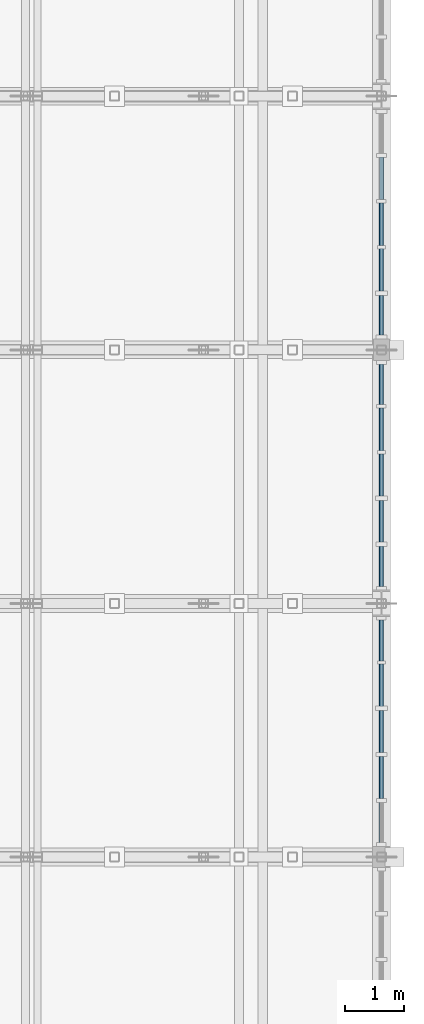
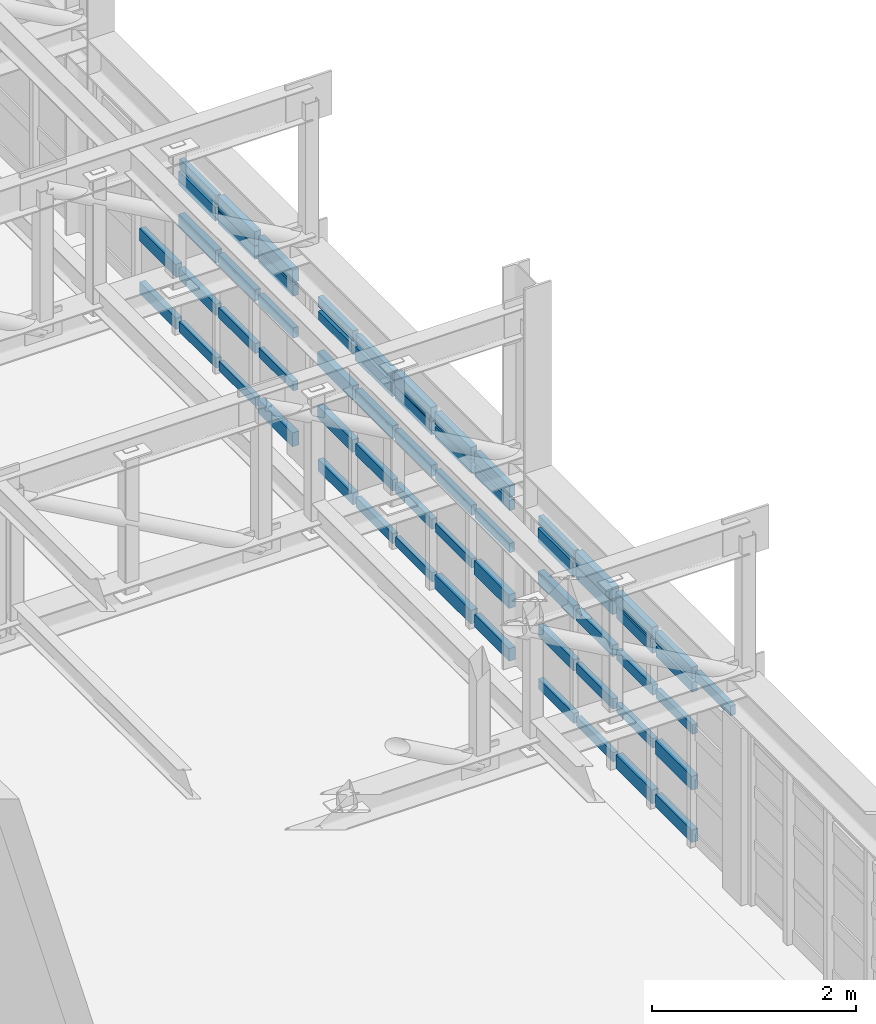
# One storey, part 79 of 128: 63 members, 3 elements without a shape of their own.
"""IFC4 building model written with IfcOpenShell, lengths in metres."""

from ifc_helpers import new_model, si_unit, direction, frame, origin, origin_2d, place, context, subcontext, project, spatial, rectangle, extrude, material, material_profile, profile_set, type_object, element, aggregate, save


model = new_model("IFC4")

# Units and contexts
model_context = context("Model", 3, precision=1e-05, world=origin(), true_north=direction((0.0, 1.0)))
body_context = subcontext(model_context, "Body", "Model", "MODEL_VIEW")
ifc_project = project(units=[si_unit("LENGTHUNIT", "METRE"), si_unit("AREAUNIT", "SQUARE_METRE"), si_unit("VOLUMEUNIT", "CUBIC_METRE"), si_unit("PLANEANGLEUNIT", "RADIAN"), si_unit("MASSUNIT", "GRAM", prefix="KILO")], contexts=[model_context])

# Site, building, storey
site_placement = place(None, origin())
site = spatial("IfcSite", under=ifc_project, at=site_placement, CompositionType="ELEMENT")
building_placement = place(site_placement, origin())
building = spatial("IfcBuilding", under=site, at=building_placement, Name="Serraforn Aerial Cableway Station", CompositionType="ELEMENT")
storey_placement = place(building_placement, frame((0.0, 0.0, 9.0)))
storey = spatial("IfcBuildingStorey", under=building, at=storey_placement, Name="L02", CompositionType="ELEMENT", Elevation=9.0)

# Curtain wall, members
ifc_material_1 = material(Name="Anodised bronze unitised curtain wall")
curtain_wall_type_1 = type_object("IfcCurtainWallType", Name="CW-SYS-28", PredefinedType="USERDEFINED", material=ifc_material_1)
curtain_wall_1_placement = place(storey_placement, origin())
curtain_wall_1 = element("IfcCurtainWall", 1, at=curtain_wall_1_placement, inside=storey, type_object=curtain_wall_type_1, Name="Unitised Curtain Wall CW-EG-L02-E3B", ObjectType="UNITISED CURTAIN WALL", PredefinedType="USERDEFINED")
ifc_material_2 = material(Name="Anodised bronze extruded aluminium", Category="aluminium")
ifc_material_profile_1 = material_profile(ifc_material_2, rectangle(XDim=0.054931640625, YDim=0.110107421875, at=origin_2d()), Name="CW TRANSOM 55x110")
ifc_profile_set_1 = profile_set([ifc_material_profile_1], Name="Anodised bronze extruded aluminium")
member_type_1 = type_object("IfcMemberType", Name="CW-TRN-1", PredefinedType="USERDEFINED", material=ifc_profile_set_1)
member_1_placement = place(storey_placement, frame((168.0, 67.9599609375, 1.356689453125), z_axis=(0.0, 1.0, 0.0), x_axis=(-1.0, 0.0, 0.0)))
member_1 = element("IfcMember", 2, at=member_1_placement, type_object=member_type_1, Name="Curtain Wall Transom CW-EG-L02-E3B-T2-3", ObjectType="TRANSOM", PredefinedType="USERDEFINED", context=body_context, shape_type="SweptSolid", body=[
    extrude(rectangle(XDim=0.054931640625, YDim=0.110107421875, at=origin_2d()), origin(), (0.0, 0.0, 1.0), 0.7109375),
])
member_2_placement = place(storey_placement, frame((168.0, 68.73681640625, 0.720703125), z_axis=(0.0, 1.0, 0.0), x_axis=(-1.0, 0.0, 0.0)))
member_2 = element("IfcMember", 3, at=member_2_placement, type_object=member_type_1, Name="Curtain Wall Transom CW-EG-L02-E3B-T3-2", ObjectType="TRANSOM", PredefinedType="USERDEFINED", context=body_context, shape_type="SweptSolid", body=[
    extrude(rectangle(XDim=0.054931640625, YDim=0.110107421875, at=origin_2d()), origin(), (0.0, 0.0, 1.0), 0.705810546875),
])
member_3_placement = place(storey_placement, frame((168.0, 69.513671875, 0.084716796875), z_axis=(0.0, 1.0, 0.0), x_axis=(-1.0, 0.0, 0.0)))
member_3 = element("IfcMember", 4, at=member_3_placement, type_object=member_type_1, Name="Curtain Wall Transom CW-EG-L02-E3B-T4-1", ObjectType="TRANSOM", PredefinedType="USERDEFINED", context=body_context, shape_type="SweptSolid", body=[
    extrude(rectangle(XDim=0.054931640625, YDim=0.110107421875, at=origin_2d()), origin(), (0.0, 0.0, 1.0), 0.71337890625),
])
member_4_placement = place(storey_placement, frame((168.0, 70.278076171875, 2.03515625), z_axis=(0.0, 1.0, 0.0), x_axis=(-1.0, 0.0, 0.0)))
member_4 = element("IfcMember", 5, at=member_4_placement, type_object=member_type_1, Name="Curtain Wall Transom CW-EG-L02-E3B-T5-5", ObjectType="TRANSOM", PredefinedType="USERDEFINED", context=body_context, shape_type="SweptSolid", body=[
    extrude(rectangle(XDim=0.054931640625, YDim=0.110107421875, at=origin_2d()), origin(), (0.0, 0.0, 1.0), 0.69091796875),
])

curtain_wall_type_2 = type_object("IfcCurtainWallType", Name="CW-SYS-1", PredefinedType="USERDEFINED", material=ifc_material_1)
curtain_wall_2_placement = place(storey_placement, origin())
curtain_wall_2 = element("IfcCurtainWall", 6, at=curtain_wall_2_placement, inside=storey, type_object=curtain_wall_type_2, Name="Unitised Curtain Wall CW-EG-L02-E4A", ObjectType="UNITISED CURTAIN WALL", PredefinedType="USERDEFINED")
member_5_placement = place(storey_placement, frame((168.0, 71.535888671875, 1.356689453125), z_axis=(0.0, 1.0, 0.0), x_axis=(-1.0, 0.0, 0.0)))
member_5 = element("IfcMember", 7, at=member_5_placement, type_object=member_type_1, Name="Curtain Wall Transom CW-EG-L02-E4A-T1-3", ObjectType="TRANSOM", PredefinedType="USERDEFINED", context=body_context, shape_type="SweptSolid", body=[
    extrude(rectangle(XDim=0.054931640625, YDim=0.110107421875, at=origin_2d()), origin(), (0.0, 0.0, 1.0), 0.678466796875),
])
member_6_placement = place(storey_placement, frame((168.0, 72.280517578125, 0.720703125), z_axis=(0.0, 1.0, 0.0), x_axis=(-1.0, 0.0, 0.0)))
member_6 = element("IfcMember", 8, at=member_6_placement, type_object=member_type_1, Name="Curtain Wall Transom CW-EG-L02-E4A-T2-2", ObjectType="TRANSOM", PredefinedType="USERDEFINED", context=body_context, shape_type="SweptSolid", body=[
    extrude(rectangle(XDim=0.054931640625, YDim=0.110107421875, at=origin_2d()), origin(), (0.0, 0.0, 1.0), 0.705810546875),
])
member_7_placement = place(storey_placement, frame((168.0, 73.057373046875, 0.084716796875), z_axis=(0.0, 1.0, 0.0), x_axis=(-1.0, 0.0, 0.0)))
member_7 = element("IfcMember", 9, at=member_7_placement, type_object=member_type_1, Name="Curtain Wall Transom CW-EG-L02-E4A-T3-1", ObjectType="TRANSOM", PredefinedType="USERDEFINED", context=body_context, shape_type="SweptSolid", body=[
    extrude(rectangle(XDim=0.054931640625, YDim=0.110107421875, at=origin_2d()), origin(), (0.0, 0.0, 1.0), 0.71337890625),
])
member_8_placement = place(storey_placement, frame((168.0, 73.82177734375, 2.03515625), z_axis=(0.0, 1.0, 0.0), x_axis=(-1.0, 0.0, 0.0)))
member_8 = element("IfcMember", 10, at=member_8_placement, type_object=member_type_1, Name="Curtain Wall Transom CW-EG-L02-E4A-T4-5", ObjectType="TRANSOM", PredefinedType="USERDEFINED", context=body_context, shape_type="SweptSolid", body=[
    extrude(rectangle(XDim=0.054931640625, YDim=0.110107421875, at=origin_2d()), origin(), (0.0, 0.0, 1.0), 0.720703125),
])
member_9_placement = place(storey_placement, frame((168.0, 74.5986328125, 1.865478515625), z_axis=(0.0, 1.0, 0.0), x_axis=(-1.0, 0.0, 0.0)))
member_9 = element("IfcMember", 11, at=member_9_placement, type_object=member_type_1, Name="Curtain Wall Transom CW-EG-L02-E4A-T5-4", ObjectType="TRANSOM", PredefinedType="USERDEFINED", context=body_context, shape_type="SweptSolid", body=[
    extrude(rectangle(XDim=0.054931640625, YDim=0.110107421875, at=origin_2d()), origin(), (0.0, 0.0, 1.0), 0.683349609375),
])

curtain_wall_type_3 = type_object("IfcCurtainWallType", Name="CW-SYS-2", PredefinedType="USERDEFINED", material=ifc_material_1)
curtain_wall_3_placement = place(storey_placement, origin())
curtain_wall_3 = element("IfcCurtainWall", 12, at=curtain_wall_3_placement, inside=storey, type_object=curtain_wall_type_3, Name="Unitised Curtain Wall CW-EG-L02-E4B", ObjectType="UNITISED CURTAIN WALL", PredefinedType="USERDEFINED")
member_10_placement = place(storey_placement, frame((168.0, 75.77294921875, 0.720703125), z_axis=(0.0, 1.0, 0.0), x_axis=(-1.0, 0.0, 0.0)))
member_10 = element("IfcMember", 13, at=member_10_placement, type_object=member_type_1, Name="Curtain Wall Transom CW-EG-L02-E4B-T1-2", ObjectType="TRANSOM", PredefinedType="USERDEFINED", context=body_context, shape_type="SweptSolid", body=[
    extrude(rectangle(XDim=0.054931640625, YDim=0.110107421875, at=origin_2d()), origin(), (0.0, 0.0, 1.0), 0.6708984375),
])
member_11_placement = place(storey_placement, frame((168.0, 76.514892578125, 0.084716796875), z_axis=(0.0, 1.0, 0.0), x_axis=(-1.0, 0.0, 0.0)))
member_11 = element("IfcMember", 14, at=member_11_placement, type_object=member_type_1, Name="Curtain Wall Transom CW-EG-L02-E4B-T2-1", ObjectType="TRANSOM", PredefinedType="USERDEFINED", context=body_context, shape_type="SweptSolid", body=[
    extrude(rectangle(XDim=0.054931640625, YDim=0.110107421875, at=origin_2d()), origin(), (0.0, 0.0, 1.0), 0.71337890625),
])
member_12_placement = place(storey_placement, frame((168.0, 77.279296875, 2.03515625), z_axis=(0.0, 1.0, 0.0), x_axis=(-1.0, 0.0, 0.0)))
member_12 = element("IfcMember", 15, at=member_12_placement, type_object=member_type_1, Name="Curtain Wall Transom CW-EG-L02-E4B-T3-5", ObjectType="TRANSOM", PredefinedType="USERDEFINED", context=body_context, shape_type="SweptSolid", body=[
    extrude(rectangle(XDim=0.054931640625, YDim=0.110107421875, at=origin_2d()), origin(), (0.0, 0.0, 1.0), 0.720947265625),
])

# Member
ifc_material_profile_2 = material_profile(ifc_material_2, rectangle(XDim=0.06005859375, YDim=0.1201171875, at=origin_2d()), Name="CW TRANSOM 60x120")
ifc_profile_set_2 = profile_set([ifc_material_profile_2], Name="Anodised bronze extruded aluminium")
member_type_2 = type_object("IfcMemberType", Name="CW-TRN-2", PredefinedType="USERDEFINED", material=ifc_profile_set_2)
member_13_placement = place(storey_placement, frame((168.0, 67.212890625, 2.03515625), z_axis=(0.0, 1.0, 0.0), x_axis=(-1.0, 0.0, 0.0)))
member_13 = element("IfcMember", 16, at=member_13_placement, type_object=member_type_2, Name="Curtain Wall Transom CW-EG-L02-E3B-T1-5", ObjectType="TRANSOM", PredefinedType="USERDEFINED", context=body_context, shape_type="SweptSolid", body=[
    extrude(rectangle(XDim=0.06005859375, YDim=0.1201171875, at=origin_2d()), origin(), (0.0, 0.0, 1.0), 0.68603515625),
])

member_14_placement = place(storey_placement, frame((168.0, 67.9599609375, 1.865478515625), z_axis=(0.0, 1.0, 0.0), x_axis=(-1.0, 0.0, 0.0)))
member_14 = element("IfcMember", 17, at=member_14_placement, type_object=member_type_2, Name="Curtain Wall Transom CW-EG-L02-E3B-T2-4", ObjectType="TRANSOM", PredefinedType="USERDEFINED", context=body_context, shape_type="SweptSolid", body=[
    extrude(rectangle(XDim=0.06005859375, YDim=0.1201171875, at=origin_2d()), origin(), (0.0, 0.0, 1.0), 0.7109375),
])

member_15_placement = place(storey_placement, frame((168.0, 68.73681640625, 1.356689453125), z_axis=(0.0, 1.0, 0.0), x_axis=(-1.0, 0.0, 0.0)))
member_15 = element("IfcMember", 18, at=member_15_placement, type_object=member_type_2, Name="Curtain Wall Transom CW-EG-L02-E3B-T3-3", ObjectType="TRANSOM", PredefinedType="USERDEFINED", context=body_context, shape_type="SweptSolid", body=[
    extrude(rectangle(XDim=0.06005859375, YDim=0.1201171875, at=origin_2d()), origin(), (0.0, 0.0, 1.0), 0.705810546875),
])

member_16_placement = place(storey_placement, frame((168.0, 69.513671875, 0.720703125), z_axis=(0.0, 1.0, 0.0), x_axis=(-1.0, 0.0, 0.0)))
member_16 = element("IfcMember", 19, at=member_16_placement, type_object=member_type_2, Name="Curtain Wall Transom CW-EG-L02-E3B-T4-2", ObjectType="TRANSOM", PredefinedType="USERDEFINED", context=body_context, shape_type="SweptSolid", body=[
    extrude(rectangle(XDim=0.06005859375, YDim=0.1201171875, at=origin_2d()), origin(), (0.0, 0.0, 1.0), 0.71337890625),
])

member_17_placement = place(storey_placement, frame((168.0, 70.278076171875, 0.084716796875), z_axis=(0.0, 1.0, 0.0), x_axis=(-1.0, 0.0, 0.0)))
member_17 = element("IfcMember", 20, at=member_17_placement, type_object=member_type_2, Name="Curtain Wall Transom CW-EG-L02-E3B-T5-1", ObjectType="TRANSOM", PredefinedType="USERDEFINED", context=body_context, shape_type="SweptSolid", body=[
    extrude(rectangle(XDim=0.06005859375, YDim=0.1201171875, at=origin_2d()), origin(), (0.0, 0.0, 1.0), 0.69091796875),
])

member_18_placement = place(storey_placement, frame((168.0, 71.535888671875, 1.865478515625), z_axis=(0.0, 1.0, 0.0), x_axis=(-1.0, 0.0, 0.0)))
member_18 = element("IfcMember", 21, at=member_18_placement, type_object=member_type_2, Name="Curtain Wall Transom CW-EG-L02-E4A-T1-4", ObjectType="TRANSOM", PredefinedType="USERDEFINED", context=body_context, shape_type="SweptSolid", body=[
    extrude(rectangle(XDim=0.06005859375, YDim=0.1201171875, at=origin_2d()), origin(), (0.0, 0.0, 1.0), 0.678466796875),
])

member_19_placement = place(storey_placement, frame((168.0, 72.280517578125, 1.356689453125), z_axis=(0.0, 1.0, 0.0), x_axis=(-1.0, 0.0, 0.0)))
member_19 = element("IfcMember", 22, at=member_19_placement, type_object=member_type_2, Name="Curtain Wall Transom CW-EG-L02-E4A-T2-3", ObjectType="TRANSOM", PredefinedType="USERDEFINED", context=body_context, shape_type="SweptSolid", body=[
    extrude(rectangle(XDim=0.06005859375, YDim=0.1201171875, at=origin_2d()), origin(), (0.0, 0.0, 1.0), 0.705810546875),
])

member_20_placement = place(storey_placement, frame((168.0, 73.057373046875, 0.720703125), z_axis=(0.0, 1.0, 0.0), x_axis=(-1.0, 0.0, 0.0)))
member_20 = element("IfcMember", 23, at=member_20_placement, type_object=member_type_2, Name="Curtain Wall Transom CW-EG-L02-E4A-T3-2", ObjectType="TRANSOM", PredefinedType="USERDEFINED", context=body_context, shape_type="SweptSolid", body=[
    extrude(rectangle(XDim=0.06005859375, YDim=0.1201171875, at=origin_2d()), origin(), (0.0, 0.0, 1.0), 0.71337890625),
])

member_21_placement = place(storey_placement, frame((168.0, 73.82177734375, 0.084716796875), z_axis=(0.0, 1.0, 0.0), x_axis=(-1.0, 0.0, 0.0)))
member_21 = element("IfcMember", 24, at=member_21_placement, type_object=member_type_2, Name="Curtain Wall Transom CW-EG-L02-E4A-T4-1", ObjectType="TRANSOM", PredefinedType="USERDEFINED", context=body_context, shape_type="SweptSolid", body=[
    extrude(rectangle(XDim=0.06005859375, YDim=0.1201171875, at=origin_2d()), origin(), (0.0, 0.0, 1.0), 0.720703125),
])

member_22_placement = place(storey_placement, frame((168.0, 74.5986328125, 2.03515625), z_axis=(0.0, 1.0, 0.0), x_axis=(-1.0, 0.0, 0.0)))
member_22 = element("IfcMember", 25, at=member_22_placement, type_object=member_type_2, Name="Curtain Wall Transom CW-EG-L02-E4A-T5-5", ObjectType="TRANSOM", PredefinedType="USERDEFINED", context=body_context, shape_type="SweptSolid", body=[
    extrude(rectangle(XDim=0.06005859375, YDim=0.1201171875, at=origin_2d()), origin(), (0.0, 0.0, 1.0), 0.683349609375),
])

member_23_placement = place(storey_placement, frame((168.0, 75.77294921875, 1.356689453125), z_axis=(0.0, 1.0, 0.0), x_axis=(-1.0, 0.0, 0.0)))
member_23 = element("IfcMember", 26, at=member_23_placement, type_object=member_type_2, Name="Curtain Wall Transom CW-EG-L02-E4B-T1-3", ObjectType="TRANSOM", PredefinedType="USERDEFINED", context=body_context, shape_type="SweptSolid", body=[
    extrude(rectangle(XDim=0.06005859375, YDim=0.1201171875, at=origin_2d()), origin(), (0.0, 0.0, 1.0), 0.6708984375),
])

member_24_placement = place(storey_placement, frame((168.0, 76.514892578125, 0.720703125), z_axis=(0.0, 1.0, 0.0), x_axis=(-1.0, 0.0, 0.0)))
member_24 = element("IfcMember", 27, at=member_24_placement, type_object=member_type_2, Name="Curtain Wall Transom CW-EG-L02-E4B-T2-2", ObjectType="TRANSOM", PredefinedType="USERDEFINED", context=body_context, shape_type="SweptSolid", body=[
    extrude(rectangle(XDim=0.06005859375, YDim=0.1201171875, at=origin_2d()), origin(), (0.0, 0.0, 1.0), 0.71337890625),
])

member_25_placement = place(storey_placement, frame((168.0, 77.279296875, 0.084716796875), z_axis=(0.0, 1.0, 0.0), x_axis=(-1.0, 0.0, 0.0)))
member_25 = element("IfcMember", 28, at=member_25_placement, type_object=member_type_2, Name="Curtain Wall Transom CW-EG-L02-E4B-T3-1", ObjectType="TRANSOM", PredefinedType="USERDEFINED", context=body_context, shape_type="SweptSolid", body=[
    extrude(rectangle(XDim=0.06005859375, YDim=0.1201171875, at=origin_2d()), origin(), (0.0, 0.0, 1.0), 0.720947265625),
])

ifc_material_profile_3 = material_profile(ifc_material_2, rectangle(XDim=0.06494140625, YDim=0.135009765625, at=origin_2d()), Name="CW TRANSOM 65x135")
ifc_profile_set_3 = profile_set([ifc_material_profile_3], Name="Anodised bronze extruded aluminium")
member_type_3 = type_object("IfcMemberType", Name="CW-TRN-3", PredefinedType="USERDEFINED", material=ifc_profile_set_3)
member_26_placement = place(storey_placement, frame((168.0, 67.9599609375, 2.03515625), z_axis=(0.0, 1.0, 0.0), x_axis=(-1.0, 0.0, 0.0)))
member_26 = element("IfcMember", 29, at=member_26_placement, type_object=member_type_3, Name="Curtain Wall Transom CW-EG-L02-E3B-T2-5", ObjectType="TRANSOM", PredefinedType="USERDEFINED", context=body_context, shape_type="SweptSolid", body=[
    extrude(rectangle(XDim=0.06494140625, YDim=0.135009765625, at=origin_2d()), origin(), (0.0, 0.0, 1.0), 0.7109375),
])

member_27_placement = place(storey_placement, frame((168.0, 68.73681640625, 1.865478515625), z_axis=(0.0, 1.0, 0.0), x_axis=(-1.0, 0.0, 0.0)))
member_27 = element("IfcMember", 30, at=member_27_placement, type_object=member_type_3, Name="Curtain Wall Transom CW-EG-L02-E3B-T3-4", ObjectType="TRANSOM", PredefinedType="USERDEFINED", context=body_context, shape_type="SweptSolid", body=[
    extrude(rectangle(XDim=0.06494140625, YDim=0.135009765625, at=origin_2d()), origin(), (0.0, 0.0, 1.0), 0.705810546875),
])

member_28_placement = place(storey_placement, frame((168.0, 69.513671875, 1.356689453125), z_axis=(0.0, 1.0, 0.0), x_axis=(-1.0, 0.0, 0.0)))
member_28 = element("IfcMember", 31, at=member_28_placement, type_object=member_type_3, Name="Curtain Wall Transom CW-EG-L02-E3B-T4-3", ObjectType="TRANSOM", PredefinedType="USERDEFINED", context=body_context, shape_type="SweptSolid", body=[
    extrude(rectangle(XDim=0.06494140625, YDim=0.135009765625, at=origin_2d()), origin(), (0.0, 0.0, 1.0), 0.71337890625),
])

member_29_placement = place(storey_placement, frame((168.0, 70.278076171875, 0.720703125), z_axis=(0.0, 1.0, 0.0), x_axis=(-1.0, 0.0, 0.0)))
member_29 = element("IfcMember", 32, at=member_29_placement, type_object=member_type_3, Name="Curtain Wall Transom CW-EG-L02-E3B-T5-2", ObjectType="TRANSOM", PredefinedType="USERDEFINED", context=body_context, shape_type="SweptSolid", body=[
    extrude(rectangle(XDim=0.06494140625, YDim=0.135009765625, at=origin_2d()), origin(), (0.0, 0.0, 1.0), 0.69091796875),
])

member_30_placement = place(storey_placement, frame((168.0, 71.535888671875, 2.03515625), z_axis=(0.0, 1.0, 0.0), x_axis=(-1.0, 0.0, 0.0)))
member_30 = element("IfcMember", 33, at=member_30_placement, type_object=member_type_3, Name="Curtain Wall Transom CW-EG-L02-E4A-T1-5", ObjectType="TRANSOM", PredefinedType="USERDEFINED", context=body_context, shape_type="SweptSolid", body=[
    extrude(rectangle(XDim=0.06494140625, YDim=0.135009765625, at=origin_2d()), origin(), (0.0, 0.0, 1.0), 0.678466796875),
])

member_31_placement = place(storey_placement, frame((168.0, 72.280517578125, 1.865478515625), z_axis=(0.0, 1.0, 0.0), x_axis=(-1.0, 0.0, 0.0)))
member_31 = element("IfcMember", 34, at=member_31_placement, type_object=member_type_3, Name="Curtain Wall Transom CW-EG-L02-E4A-T2-4", ObjectType="TRANSOM", PredefinedType="USERDEFINED", context=body_context, shape_type="SweptSolid", body=[
    extrude(rectangle(XDim=0.06494140625, YDim=0.135009765625, at=origin_2d()), origin(), (0.0, 0.0, 1.0), 0.705810546875),
])

member_32_placement = place(storey_placement, frame((168.0, 73.057373046875, 1.356689453125), z_axis=(0.0, 1.0, 0.0), x_axis=(-1.0, 0.0, 0.0)))
member_32 = element("IfcMember", 35, at=member_32_placement, type_object=member_type_3, Name="Curtain Wall Transom CW-EG-L02-E4A-T3-3", ObjectType="TRANSOM", PredefinedType="USERDEFINED", context=body_context, shape_type="SweptSolid", body=[
    extrude(rectangle(XDim=0.06494140625, YDim=0.135009765625, at=origin_2d()), origin(), (0.0, 0.0, 1.0), 0.71337890625),
])

member_33_placement = place(storey_placement, frame((168.0, 73.82177734375, 0.720703125), z_axis=(0.0, 1.0, 0.0), x_axis=(-1.0, 0.0, 0.0)))
member_33 = element("IfcMember", 36, at=member_33_placement, type_object=member_type_3, Name="Curtain Wall Transom CW-EG-L02-E4A-T4-2", ObjectType="TRANSOM", PredefinedType="USERDEFINED", context=body_context, shape_type="SweptSolid", body=[
    extrude(rectangle(XDim=0.06494140625, YDim=0.135009765625, at=origin_2d()), origin(), (0.0, 0.0, 1.0), 0.720703125),
])

member_34_placement = place(storey_placement, frame((168.0, 74.5986328125, 0.084716796875), z_axis=(0.0, 1.0, 0.0), x_axis=(-1.0, 0.0, 0.0)))
member_34 = element("IfcMember", 37, at=member_34_placement, type_object=member_type_3, Name="Curtain Wall Transom CW-EG-L02-E4A-T5-1", ObjectType="TRANSOM", PredefinedType="USERDEFINED", context=body_context, shape_type="SweptSolid", body=[
    extrude(rectangle(XDim=0.06494140625, YDim=0.135009765625, at=origin_2d()), origin(), (0.0, 0.0, 1.0), 0.683349609375),
])

member_35_placement = place(storey_placement, frame((168.0, 75.77294921875, 1.865478515625), z_axis=(0.0, 1.0, 0.0), x_axis=(-1.0, 0.0, 0.0)))
member_35 = element("IfcMember", 38, at=member_35_placement, type_object=member_type_3, Name="Curtain Wall Transom CW-EG-L02-E4B-T1-4", ObjectType="TRANSOM", PredefinedType="USERDEFINED", context=body_context, shape_type="SweptSolid", body=[
    extrude(rectangle(XDim=0.06494140625, YDim=0.135009765625, at=origin_2d()), origin(), (0.0, 0.0, 1.0), 0.6708984375),
])

member_36_placement = place(storey_placement, frame((168.0, 76.514892578125, 1.356689453125), z_axis=(0.0, 1.0, 0.0), x_axis=(-1.0, 0.0, 0.0)))
member_36 = element("IfcMember", 39, at=member_36_placement, type_object=member_type_3, Name="Curtain Wall Transom CW-EG-L02-E4B-T2-3", ObjectType="TRANSOM", PredefinedType="USERDEFINED", context=body_context, shape_type="SweptSolid", body=[
    extrude(rectangle(XDim=0.06494140625, YDim=0.135009765625, at=origin_2d()), origin(), (0.0, 0.0, 1.0), 0.71337890625),
])

member_37_placement = place(storey_placement, frame((168.0, 77.279296875, 0.720703125), z_axis=(0.0, 1.0, 0.0), x_axis=(-1.0, 0.0, 0.0)))
member_37 = element("IfcMember", 40, at=member_37_placement, type_object=member_type_3, Name="Curtain Wall Transom CW-EG-L02-E4B-T3-2", ObjectType="TRANSOM", PredefinedType="USERDEFINED", context=body_context, shape_type="SweptSolid", body=[
    extrude(rectangle(XDim=0.06494140625, YDim=0.135009765625, at=origin_2d()), origin(), (0.0, 0.0, 1.0), 0.720947265625),
])

member_38_placement = place(storey_placement, frame((168.0, 78.05615234375, 0.084716796875), z_axis=(0.0, 1.0, 0.0), x_axis=(-1.0, 0.0, 0.0)))
member_38 = element("IfcMember", 41, at=member_38_placement, type_object=member_type_3, Name="Curtain Wall Transom CW-EG-L02-E4B-T4-1", ObjectType="TRANSOM", PredefinedType="USERDEFINED", context=body_context, shape_type="SweptSolid", body=[
    extrude(rectangle(XDim=0.06494140625, YDim=0.135009765625, at=origin_2d()), origin(), (0.0, 0.0, 1.0), 0.716064453125),
])

ifc_material_profile_4 = material_profile(ifc_material_2, rectangle(XDim=0.070068359375, YDim=0.14990234375, at=origin_2d()), Name="CW TRANSOM 70x150")
ifc_profile_set_4 = profile_set([ifc_material_profile_4], Name="Anodised bronze extruded aluminium")
member_type_4 = type_object("IfcMemberType", Name="CW-TRN-4", PredefinedType="USERDEFINED", material=ifc_profile_set_4)
member_39_placement = place(storey_placement, frame((168.0, 67.9599609375, 0.084716796875), z_axis=(0.0, 1.0, 0.0), x_axis=(-1.0, 0.0, 0.0)))
member_39 = element("IfcMember", 42, at=member_39_placement, type_object=member_type_4, Name="Curtain Wall Transom CW-EG-L02-E3B-T2-1", ObjectType="TRANSOM", PredefinedType="USERDEFINED", context=body_context, shape_type="SweptSolid", body=[
    extrude(rectangle(XDim=0.070068359375, YDim=0.14990234375, at=origin_2d()), origin(), (0.0, 0.0, 1.0), 0.7109375),
])

member_40_placement = place(storey_placement, frame((168.0, 68.73681640625, 2.03515625), z_axis=(0.0, 1.0, 0.0), x_axis=(-1.0, 0.0, 0.0)))
member_40 = element("IfcMember", 43, at=member_40_placement, type_object=member_type_4, Name="Curtain Wall Transom CW-EG-L02-E3B-T3-5", ObjectType="TRANSOM", PredefinedType="USERDEFINED", context=body_context, shape_type="SweptSolid", body=[
    extrude(rectangle(XDim=0.070068359375, YDim=0.14990234375, at=origin_2d()), origin(), (0.0, 0.0, 1.0), 0.705810546875),
])

member_41_placement = place(storey_placement, frame((168.0, 69.513671875, 1.865478515625), z_axis=(0.0, 1.0, 0.0), x_axis=(-1.0, 0.0, 0.0)))
member_41 = element("IfcMember", 44, at=member_41_placement, type_object=member_type_4, Name="Curtain Wall Transom CW-EG-L02-E3B-T4-4", ObjectType="TRANSOM", PredefinedType="USERDEFINED", context=body_context, shape_type="SweptSolid", body=[
    extrude(rectangle(XDim=0.070068359375, YDim=0.14990234375, at=origin_2d()), origin(), (0.0, 0.0, 1.0), 0.71337890625),
])

member_42_placement = place(storey_placement, frame((168.0, 70.278076171875, 1.356689453125), z_axis=(0.0, 1.0, 0.0), x_axis=(-1.0, 0.0, 0.0)))
member_42 = element("IfcMember", 45, at=member_42_placement, type_object=member_type_4, Name="Curtain Wall Transom CW-EG-L02-E3B-T5-3", ObjectType="TRANSOM", PredefinedType="USERDEFINED", context=body_context, shape_type="SweptSolid", body=[
    extrude(rectangle(XDim=0.070068359375, YDim=0.14990234375, at=origin_2d()), origin(), (0.0, 0.0, 1.0), 0.69091796875),
])

member_43_placement = place(storey_placement, frame((168.0, 71.535888671875, 0.084716796875), z_axis=(0.0, 1.0, 0.0), x_axis=(-1.0, 0.0, 0.0)))
member_43 = element("IfcMember", 46, at=member_43_placement, type_object=member_type_4, Name="Curtain Wall Transom CW-EG-L02-E4A-T1-1", ObjectType="TRANSOM", PredefinedType="USERDEFINED", context=body_context, shape_type="SweptSolid", body=[
    extrude(rectangle(XDim=0.070068359375, YDim=0.14990234375, at=origin_2d()), origin(), (0.0, 0.0, 1.0), 0.678466796875),
])

member_44_placement = place(storey_placement, frame((168.0, 72.280517578125, 2.03515625), z_axis=(0.0, 1.0, 0.0), x_axis=(-1.0, 0.0, 0.0)))
member_44 = element("IfcMember", 47, at=member_44_placement, type_object=member_type_4, Name="Curtain Wall Transom CW-EG-L02-E4A-T2-5", ObjectType="TRANSOM", PredefinedType="USERDEFINED", context=body_context, shape_type="SweptSolid", body=[
    extrude(rectangle(XDim=0.070068359375, YDim=0.14990234375, at=origin_2d()), origin(), (0.0, 0.0, 1.0), 0.705810546875),
])

member_45_placement = place(storey_placement, frame((168.0, 73.057373046875, 1.865478515625), z_axis=(0.0, 1.0, 0.0), x_axis=(-1.0, 0.0, 0.0)))
member_45 = element("IfcMember", 48, at=member_45_placement, type_object=member_type_4, Name="Curtain Wall Transom CW-EG-L02-E4A-T3-4", ObjectType="TRANSOM", PredefinedType="USERDEFINED", context=body_context, shape_type="SweptSolid", body=[
    extrude(rectangle(XDim=0.070068359375, YDim=0.14990234375, at=origin_2d()), origin(), (0.0, 0.0, 1.0), 0.71337890625),
])

member_46_placement = place(storey_placement, frame((168.0, 73.82177734375, 1.356689453125), z_axis=(0.0, 1.0, 0.0), x_axis=(-1.0, 0.0, 0.0)))
member_46 = element("IfcMember", 49, at=member_46_placement, type_object=member_type_4, Name="Curtain Wall Transom CW-EG-L02-E4A-T4-3", ObjectType="TRANSOM", PredefinedType="USERDEFINED", context=body_context, shape_type="SweptSolid", body=[
    extrude(rectangle(XDim=0.070068359375, YDim=0.14990234375, at=origin_2d()), origin(), (0.0, 0.0, 1.0), 0.720703125),
])

member_47_placement = place(storey_placement, frame((168.0, 74.5986328125, 0.720703125), z_axis=(0.0, 1.0, 0.0), x_axis=(-1.0, 0.0, 0.0)))
member_47 = element("IfcMember", 50, at=member_47_placement, type_object=member_type_4, Name="Curtain Wall Transom CW-EG-L02-E4A-T5-2", ObjectType="TRANSOM", PredefinedType="USERDEFINED", context=body_context, shape_type="SweptSolid", body=[
    extrude(rectangle(XDim=0.070068359375, YDim=0.14990234375, at=origin_2d()), origin(), (0.0, 0.0, 1.0), 0.683349609375),
])

member_48_placement = place(storey_placement, frame((168.0, 75.77294921875, 2.03515625), z_axis=(0.0, 1.0, 0.0), x_axis=(-1.0, 0.0, 0.0)))
member_48 = element("IfcMember", 51, at=member_48_placement, type_object=member_type_4, Name="Curtain Wall Transom CW-EG-L02-E4B-T1-5", ObjectType="TRANSOM", PredefinedType="USERDEFINED", context=body_context, shape_type="SweptSolid", body=[
    extrude(rectangle(XDim=0.070068359375, YDim=0.14990234375, at=origin_2d()), origin(), (0.0, 0.0, 1.0), 0.6708984375),
])

member_49_placement = place(storey_placement, frame((168.0, 76.514892578125, 1.865478515625), z_axis=(0.0, 1.0, 0.0), x_axis=(-1.0, 0.0, 0.0)))
member_49 = element("IfcMember", 52, at=member_49_placement, type_object=member_type_4, Name="Curtain Wall Transom CW-EG-L02-E4B-T2-4", ObjectType="TRANSOM", PredefinedType="USERDEFINED", context=body_context, shape_type="SweptSolid", body=[
    extrude(rectangle(XDim=0.070068359375, YDim=0.14990234375, at=origin_2d()), origin(), (0.0, 0.0, 1.0), 0.71337890625),
])

member_50_placement = place(storey_placement, frame((168.0, 77.279296875, 1.356689453125), z_axis=(0.0, 1.0, 0.0), x_axis=(-1.0, 0.0, 0.0)))
member_50 = element("IfcMember", 53, at=member_50_placement, type_object=member_type_4, Name="Curtain Wall Transom CW-EG-L02-E4B-T3-3", ObjectType="TRANSOM", PredefinedType="USERDEFINED", context=body_context, shape_type="SweptSolid", body=[
    extrude(rectangle(XDim=0.070068359375, YDim=0.14990234375, at=origin_2d()), origin(), (0.0, 0.0, 1.0), 0.720947265625),
])

member_51_placement = place(storey_placement, frame((168.0, 78.05615234375, 0.720703125), z_axis=(0.0, 1.0, 0.0), x_axis=(-1.0, 0.0, 0.0)))
member_51 = element("IfcMember", 54, at=member_51_placement, type_object=member_type_4, Name="Curtain Wall Transom CW-EG-L02-E4B-T4-2", ObjectType="TRANSOM", PredefinedType="USERDEFINED", context=body_context, shape_type="SweptSolid", body=[
    extrude(rectangle(XDim=0.070068359375, YDim=0.14990234375, at=origin_2d()), origin(), (0.0, 0.0, 1.0), 0.716064453125),
])

ifc_material_profile_5 = material_profile(ifc_material_2, rectangle(XDim=0.074951171875, YDim=0.1650390625, at=origin_2d()), Name="CW TRANSOM 75x165")
ifc_profile_set_5 = profile_set([ifc_material_profile_5], Name="Anodised bronze extruded aluminium")
member_type_5 = type_object("IfcMemberType", Name="CW-TRN-5", PredefinedType="USERDEFINED", material=ifc_profile_set_5)
member_52_placement = place(storey_placement, frame((168.0, 67.9599609375, 0.720703125), z_axis=(0.0, 1.0, 0.0), x_axis=(-1.0, 0.0, 0.0)))
member_52 = element("IfcMember", 55, at=member_52_placement, type_object=member_type_5, Name="Curtain Wall Transom CW-EG-L02-E3B-T2-2", ObjectType="TRANSOM", PredefinedType="USERDEFINED", context=body_context, shape_type="SweptSolid", body=[
    extrude(rectangle(XDim=0.074951171875, YDim=0.1650390625, at=origin_2d()), origin(), (0.0, 0.0, 1.0), 0.7109375),
])

member_53_placement = place(storey_placement, frame((168.0, 68.73681640625, 0.084716796875), z_axis=(0.0, 1.0, 0.0), x_axis=(-1.0, 0.0, 0.0)))
member_53 = element("IfcMember", 56, at=member_53_placement, type_object=member_type_5, Name="Curtain Wall Transom CW-EG-L02-E3B-T3-1", ObjectType="TRANSOM", PredefinedType="USERDEFINED", context=body_context, shape_type="SweptSolid", body=[
    extrude(rectangle(XDim=0.074951171875, YDim=0.1650390625, at=origin_2d()), origin(), (0.0, 0.0, 1.0), 0.705810546875),
])

member_54_placement = place(storey_placement, frame((168.0, 69.513671875, 2.03515625), z_axis=(0.0, 1.0, 0.0), x_axis=(-1.0, 0.0, 0.0)))
member_54 = element("IfcMember", 57, at=member_54_placement, type_object=member_type_5, Name="Curtain Wall Transom CW-EG-L02-E3B-T4-5", ObjectType="TRANSOM", PredefinedType="USERDEFINED", context=body_context, shape_type="SweptSolid", body=[
    extrude(rectangle(XDim=0.074951171875, YDim=0.1650390625, at=origin_2d()), origin(), (0.0, 0.0, 1.0), 0.71337890625),
])

member_55_placement = place(storey_placement, frame((168.0, 70.278076171875, 1.865478515625), z_axis=(0.0, 1.0, 0.0), x_axis=(-1.0, 0.0, 0.0)))
member_55 = element("IfcMember", 58, at=member_55_placement, type_object=member_type_5, Name="Curtain Wall Transom CW-EG-L02-E3B-T5-4", ObjectType="TRANSOM", PredefinedType="USERDEFINED", context=body_context, shape_type="SweptSolid", body=[
    extrude(rectangle(XDim=0.074951171875, YDim=0.1650390625, at=origin_2d()), origin(), (0.0, 0.0, 1.0), 0.69091796875),
])

aggregate(curtain_wall_1, [member_13, member_39, member_52, member_1, member_14, member_26, member_53, member_2, member_15, member_27, member_40, member_3, member_16, member_28, member_41, member_54, member_17, member_29, member_42, member_55, member_4])

member_56_placement = place(storey_placement, frame((168.0, 71.535888671875, 0.720703125), z_axis=(0.0, 1.0, 0.0), x_axis=(-1.0, 0.0, 0.0)))
member_56 = element("IfcMember", 59, at=member_56_placement, type_object=member_type_5, Name="Curtain Wall Transom CW-EG-L02-E4A-T1-2", ObjectType="TRANSOM", PredefinedType="USERDEFINED", context=body_context, shape_type="SweptSolid", body=[
    extrude(rectangle(XDim=0.074951171875, YDim=0.1650390625, at=origin_2d()), origin(), (0.0, 0.0, 1.0), 0.678466796875),
])

member_57_placement = place(storey_placement, frame((168.0, 72.280517578125, 0.084716796875), z_axis=(0.0, 1.0, 0.0), x_axis=(-1.0, 0.0, 0.0)))
member_57 = element("IfcMember", 60, at=member_57_placement, type_object=member_type_5, Name="Curtain Wall Transom CW-EG-L02-E4A-T2-1", ObjectType="TRANSOM", PredefinedType="USERDEFINED", context=body_context, shape_type="SweptSolid", body=[
    extrude(rectangle(XDim=0.074951171875, YDim=0.1650390625, at=origin_2d()), origin(), (0.0, 0.0, 1.0), 0.705810546875),
])

member_58_placement = place(storey_placement, frame((168.0, 73.057373046875, 2.03515625), z_axis=(0.0, 1.0, 0.0), x_axis=(-1.0, 0.0, 0.0)))
member_58 = element("IfcMember", 61, at=member_58_placement, type_object=member_type_5, Name="Curtain Wall Transom CW-EG-L02-E4A-T3-5", ObjectType="TRANSOM", PredefinedType="USERDEFINED", context=body_context, shape_type="SweptSolid", body=[
    extrude(rectangle(XDim=0.074951171875, YDim=0.1650390625, at=origin_2d()), origin(), (0.0, 0.0, 1.0), 0.71337890625),
])

member_59_placement = place(storey_placement, frame((168.0, 73.82177734375, 1.865478515625), z_axis=(0.0, 1.0, 0.0), x_axis=(-1.0, 0.0, 0.0)))
member_59 = element("IfcMember", 62, at=member_59_placement, type_object=member_type_5, Name="Curtain Wall Transom CW-EG-L02-E4A-T4-4", ObjectType="TRANSOM", PredefinedType="USERDEFINED", context=body_context, shape_type="SweptSolid", body=[
    extrude(rectangle(XDim=0.074951171875, YDim=0.1650390625, at=origin_2d()), origin(), (0.0, 0.0, 1.0), 0.720703125),
])

member_60_placement = place(storey_placement, frame((168.0, 74.5986328125, 1.356689453125), z_axis=(0.0, 1.0, 0.0), x_axis=(-1.0, 0.0, 0.0)))
member_60 = element("IfcMember", 63, at=member_60_placement, type_object=member_type_5, Name="Curtain Wall Transom CW-EG-L02-E4A-T5-3", ObjectType="TRANSOM", PredefinedType="USERDEFINED", context=body_context, shape_type="SweptSolid", body=[
    extrude(rectangle(XDim=0.074951171875, YDim=0.1650390625, at=origin_2d()), origin(), (0.0, 0.0, 1.0), 0.683349609375),
])

aggregate(curtain_wall_2, [member_43, member_56, member_5, member_18, member_30, member_57, member_6, member_19, member_31, member_44, member_7, member_20, member_32, member_45, member_58, member_21, member_33, member_46, member_59, member_8, member_34, member_47, member_60, member_9, member_22])

member_61_placement = place(storey_placement, frame((168.0, 75.77294921875, 0.084716796875), z_axis=(0.0, 1.0, 0.0), x_axis=(-1.0, 0.0, 0.0)))
member_61 = element("IfcMember", 64, at=member_61_placement, type_object=member_type_5, Name="Curtain Wall Transom CW-EG-L02-E4B-T1-1", ObjectType="TRANSOM", PredefinedType="USERDEFINED", context=body_context, shape_type="SweptSolid", body=[
    extrude(rectangle(XDim=0.074951171875, YDim=0.1650390625, at=origin_2d()), origin(), (0.0, 0.0, 1.0), 0.6708984375),
])

member_62_placement = place(storey_placement, frame((168.0, 76.514892578125, 2.03515625), z_axis=(0.0, 1.0, 0.0), x_axis=(-1.0, 0.0, 0.0)))
member_62 = element("IfcMember", 65, at=member_62_placement, type_object=member_type_5, Name="Curtain Wall Transom CW-EG-L02-E4B-T2-5", ObjectType="TRANSOM", PredefinedType="USERDEFINED", context=body_context, shape_type="SweptSolid", body=[
    extrude(rectangle(XDim=0.074951171875, YDim=0.1650390625, at=origin_2d()), origin(), (0.0, 0.0, 1.0), 0.71337890625),
])

member_63_placement = place(storey_placement, frame((168.0, 77.279296875, 1.865478515625), z_axis=(0.0, 1.0, 0.0), x_axis=(-1.0, 0.0, 0.0)))
member_63 = element("IfcMember", 66, at=member_63_placement, type_object=member_type_5, Name="Curtain Wall Transom CW-EG-L02-E4B-T3-4", ObjectType="TRANSOM", PredefinedType="USERDEFINED", context=body_context, shape_type="SweptSolid", body=[
    extrude(rectangle(XDim=0.074951171875, YDim=0.1650390625, at=origin_2d()), origin(), (0.0, 0.0, 1.0), 0.720947265625),
])

aggregate(curtain_wall_3, [member_61, member_10, member_23, member_35, member_48, member_11, member_24, member_36, member_49, member_62, member_25, member_37, member_50, member_63, member_12, member_38, member_51])

save(model, "model.ifc")
